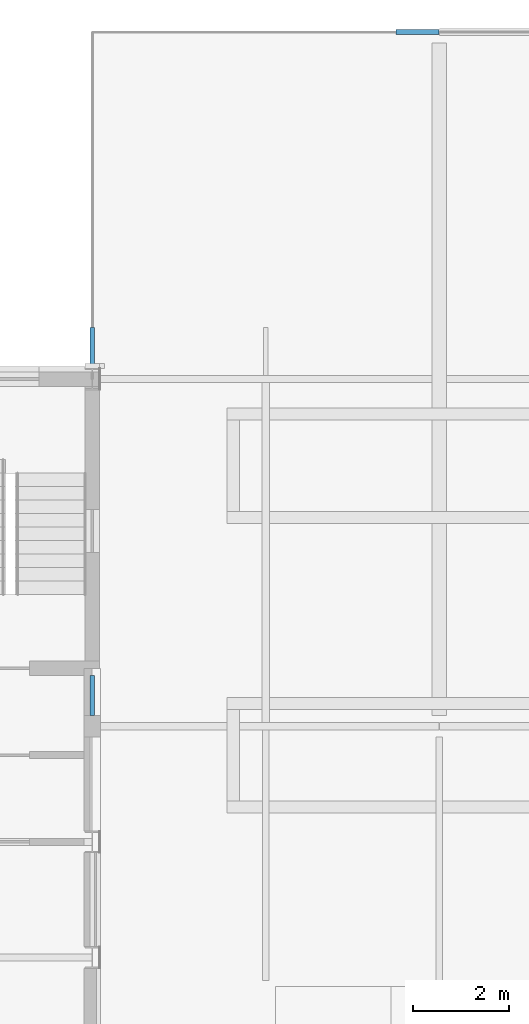
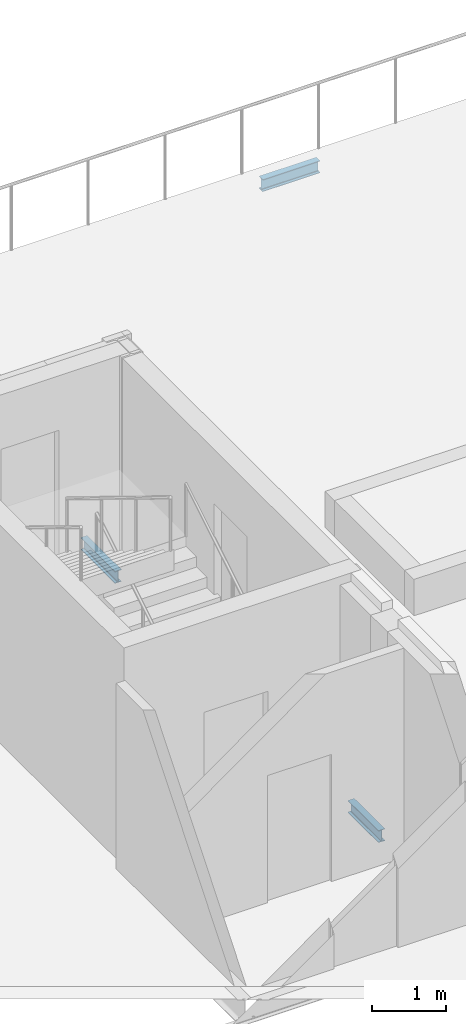
# One storey, part 35 of 110: 3 beams.
"""IFC4 building model written with IfcOpenShell, lengths in metres."""

from ifc_helpers import new_model, si_unit, direction, frame, origin, origin_2d, place, context, subcontext, project, spatial, i_section, extrude, material, material_profile, profile_set, type_object, element, save


model = new_model("IFC4")

# Units and contexts
model_context = context("Model", 3, precision=1e-05, world=origin(), true_north=direction((0.0, 1.0)))
body_context = subcontext(model_context, "Body", "Model", "MODEL_VIEW")
ifc_project = project(units=[si_unit("LENGTHUNIT", "METRE"), si_unit("AREAUNIT", "SQUARE_METRE"), si_unit("VOLUMEUNIT", "CUBIC_METRE"), si_unit("PLANEANGLEUNIT", "RADIAN"), si_unit("MASSUNIT", "GRAM", prefix="KILO")], contexts=[model_context])

# Site, building, storey
site_placement = place(None, origin())
site = spatial("IfcSite", under=ifc_project, at=site_placement, CompositionType="ELEMENT")
building_placement = place(site_placement, origin())
building = spatial("IfcBuilding", under=site, at=building_placement, Name="Kupolbacken Congress Centre", CompositionType="ELEMENT")
storey_placement = place(building_placement, frame((0.0, 0.0, 18.0)))
storey = spatial("IfcBuildingStorey", under=building, at=storey_placement, Name="L05", CompositionType="ELEMENT", Elevation=18.0)

# Beams
ifc_material = material(Name="Steel S355", Category="steel")
ifc_material_profile = material_profile(ifc_material, i_section(OverallWidth=0.10009765625, OverallDepth=0.199951171875, WebThickness=0.005615234375, FlangeThickness=0.008544921875, FilletRadius=0.011962890625, at=origin_2d()), Name="IPE 200")
ifc_profile_set = profile_set([ifc_material_profile], Name="Steel S355")
beam_type = type_object("IfcBeamType", Name="B01 beam IPE 200", PredefinedType="BEAM", material=ifc_profile_set)
beam_1_placement = place(storey_placement, frame((136.800048828125, 137.02490234375, -0.239990234375), z_axis=(0.0, 1.0, 0.0), x_axis=(-1.0, 0.0, 0.0)))
element("IfcBeam", 1, at=beam_1_placement, inside=storey, type_object=beam_type, Name="S/floor/T/L05/S079", PredefinedType="BEAM", context=body_context, shape_type="SweptSolid", body=[
    extrude(i_section(OverallWidth=0.10009765625, OverallDepth=0.199951171875, WebThickness=0.005615234375, FlangeThickness=0.008544921875, FilletRadius=0.011962890625, at=origin_2d()), origin(), (0.0, 0.0, 1.0), 0.8251953125),
])
beam_2_placement = place(storey_placement, frame((136.800048828125, 144.14990234375, -0.280029296875), z_axis=(0.0, 1.0, 0.0), x_axis=(-1.0, 0.0, 0.0)))
element("IfcBeam", 2, at=beam_2_placement, inside=storey, type_object=beam_type, Name="S/floor/BF/L05/G001", PredefinedType="BEAM", context=body_context, shape_type="SweptSolid", body=[
    extrude(i_section(OverallWidth=0.10009765625, OverallDepth=0.199951171875, WebThickness=0.005615234375, FlangeThickness=0.008544921875, FilletRadius=0.011962890625, at=origin_2d()), origin(), (0.0, 0.0, 1.0), 0.925048828125),
])
beam_3_placement = place(storey_placement, frame((143.10009765625, 151.199951171875, -0.280029296875), z_axis=(1.0, 0.0, 0.0), x_axis=(0.0, 1.0, 0.0)))
element("IfcBeam", 3, at=beam_3_placement, inside=storey, type_object=beam_type, Name="S/floor/BF/L05/R011", PredefinedType="BEAM", context=body_context, shape_type="SweptSolid", body=[
    extrude(i_section(OverallWidth=0.10009765625, OverallDepth=0.199951171875, WebThickness=0.005615234375, FlangeThickness=0.008544921875, FilletRadius=0.011962890625, at=origin_2d()), origin(), (0.0, 0.0, 1.0), 0.892822265625),
])

save(model, "model.ifc")
